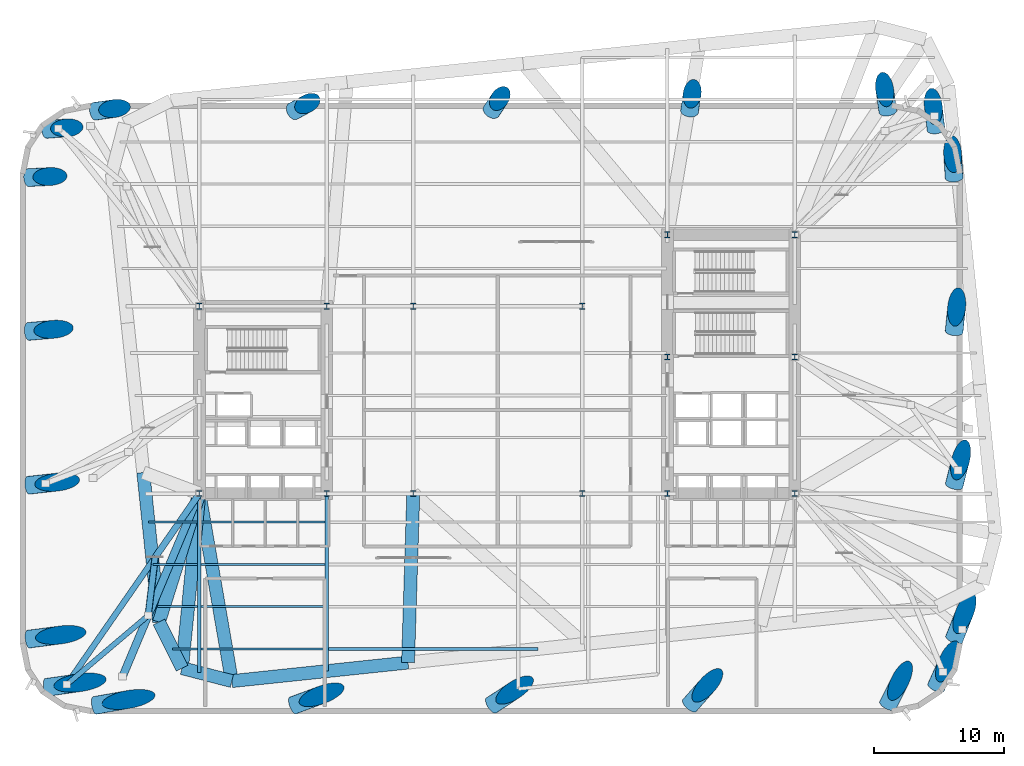
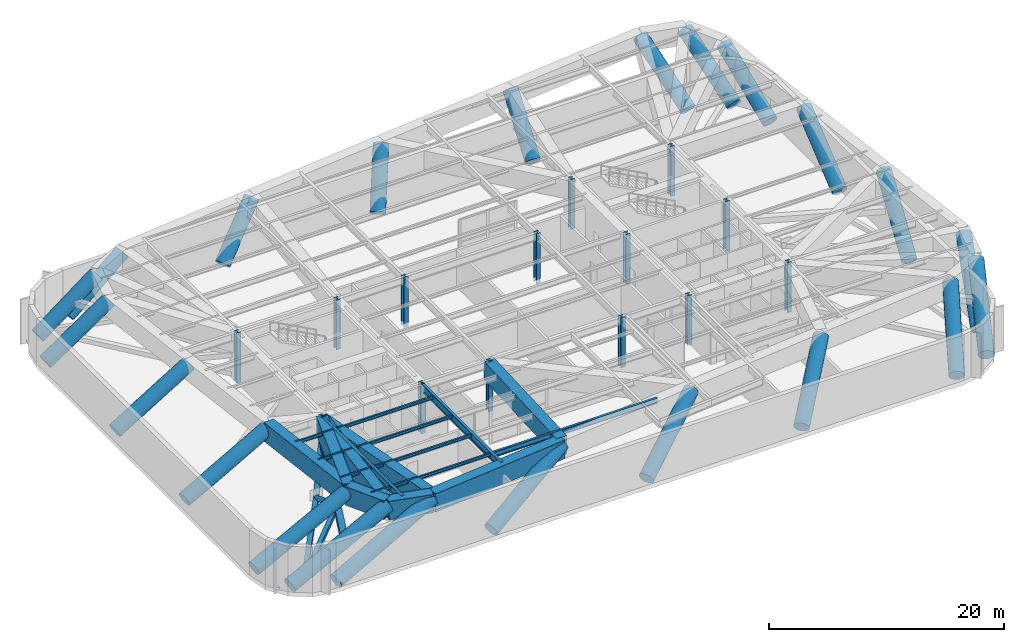
# One storey, part 1 of 16: 36 columns, 19 beams, 5 members.
"""IFC4 building model written with IfcOpenShell, lengths in metres."""

from ifc_helpers import new_model, si_unit, direction, frame, origin, origin_2d, place, context, subcontext, project, spatial, hollow_rectangle, circle, hollow_circle, i_section, extrude, material, material_profile, profile_set, type_object, element, save


model = new_model("IFC4")

# Units and contexts
model_context = context("Model", 3, precision=1e-05, world=origin(), true_north=direction((0.0, 1.0)))
body_context = subcontext(model_context, "Body", "Model", "MODEL_VIEW")
ifc_project = project(units=[si_unit("LENGTHUNIT", "METRE"), si_unit("AREAUNIT", "SQUARE_METRE"), si_unit("VOLUMEUNIT", "CUBIC_METRE"), si_unit("PLANEANGLEUNIT", "RADIAN"), si_unit("MASSUNIT", "GRAM", prefix="KILO")], contexts=[model_context])

# Site, building, storey
site_placement = place(None, origin())
site = spatial("IfcSite", under=ifc_project, at=site_placement, CompositionType="ELEMENT")
building_placement = place(site_placement, origin())
building = spatial("IfcBuilding", under=site, at=building_placement, Name="Kolvaren Arena Tower", CompositionType="ELEMENT")
storey_placement = place(building_placement, frame((0.0, 0.0, 94.5)))
storey = spatial("IfcBuildingStorey", under=building, at=storey_placement, Name="L21", CompositionType="ELEMENT", Elevation=94.5)

# Columns
ifc_material_1 = material(Name="Steel ASTM A913 Grade 65", Category="steel")
ifc_material_profile_1 = material_profile(ifc_material_1, i_section(OverallWidth=0.424072265625, OverallDepth=0.47412109375, WebThickness=0.047607421875, FlangeThickness=0.076904296875, FilletRadius=0.02001953125, at=origin_2d()), Name="W360x634")
ifc_profile_set_1 = profile_set([ifc_material_profile_1], Name="Steel ASTM A913 Grade 65")
column_type_1 = type_object("IfcColumnType", Name="SCOL-Z1", PredefinedType="COLUMN", material=ifc_profile_set_1)
for number, where, z_axis, x_axis, name in (
    (1, (14.550048828125, 19.449951171875, -0.419921875), (0.0, 0.0, 1.0), (1.0, 0.0, 0.0), "Core Boundary Column WC-SW (L21)"),
    (2, (24.35009765625, 19.449951171875, -0.419921875), (0.0, 0.0, 1.0), (1.0, 0.0, 0.0), "Core Boundary Column WC-SE (L21)"),
    (3, (14.550048828125, 33.85009765625, -0.419921875), (0.0, 0.0, 1.0), (1.0, 0.0, 0.0), "Core Boundary Column WC-NW (L21)"),
    (4, (24.35009765625, 33.85009765625, -0.419921875), (0.0, 0.0, 1.0), (1.0, 0.0, 0.0), "Core Boundary Column WC-NE (L21)"),
    (5, (50.550048828125, 19.449951171875, -0.419921875), (0.0, 0.0, 1.0), (1.0, 0.0, 0.0), "Core Boundary Column EC-SW (L21)"),
    (6, (60.35009765625, 19.449951171875, -0.419921875), (0.0, 0.0, 1.0), (1.0, 0.0, 0.0), "Core Boundary Column EC-SE (L21)"),
    (7, (50.550048828125, 29.949951171875, -0.419921875), (0.0, 0.0, 1.0), (1.0, 0.0, 0.0), "Core Boundary Column EC-MW (L21)"),
    (8, (60.35009765625, 29.949951171875, -0.419921875), (0.0, 0.0, 1.0), (1.0, 0.0, 0.0), "Core Boundary Column EC-ME (L21)"),
    (9, (50.550048828125, 39.35009765625, -0.419921875), (0.0, 0.0, 1.0), (1.0, 0.0, 0.0), "Core Boundary Column EC-NW (L21)"),
    (10, (60.35009765625, 39.35009765625, -0.419921875), (0.0, 0.0, 1.0), (1.0, 0.0, 0.0), "Core Boundary Column EC-NE (L21)"),
    (11, (31.0, 19.449951171875, -0.419921875), (0.0, 0.0, 1.0), (1.0, 0.0, 0.0), "Interior Gravity Column TC-SW (L21)"),
    (12, (44.0, 19.449951171875, -0.419921875), (0.0, 0.0, 1.0), (1.0, 0.0, 0.0), "Interior Gravity Column TC-SE (L21)"),
    (13, (31.0, 33.85009765625, -0.419921875), (0.0, 0.0, 1.0), (1.0, 0.0, 0.0), "Interior Gravity Column TC-NW (L21)"),
    (14, (44.0, 33.85009765625, -0.419921875), (0.0, 0.0, 1.0), (1.0, 0.0, 0.0), "Interior Gravity Column TC-NE (L21)"),
):
    element("IfcColumn", number, at=place(storey_placement, frame(where, z_axis=z_axis, x_axis=x_axis)), inside=storey, type_object=column_type_1, Name=name, PredefinedType="COLUMN", context=body_context, shape_type="SweptSolid", body=[
        extrude(i_section(OverallWidth=0.424072265625, OverallDepth=0.47412109375, WebThickness=0.047607421875, FlangeThickness=0.076904296875, FilletRadius=0.02001953125, at=origin_2d()), origin(), (0.0, 0.0, 1.0), 5.169921875),
    ])
ifc_material_2 = material(Name="Concrete 80 MPa", Category="concrete")
ifc_material_profile_2 = material_profile(ifc_material_2, circle(Radius=0.68994140625, at=origin_2d()), Name="RC-CIRC-1380")
ifc_profile_set_2 = profile_set([ifc_material_profile_2], Name="Concrete 80 MPa")
column_type_2 = type_object("IfcColumnType", Name="TRCOL-C900", PredefinedType="COLUMN", material=ifc_profile_set_2)
column_1_placement = place(storey_placement, frame((6.5, 3.14990234375, 0.263427734375), z_axis=(0.927812926347, 0.164938315155, 0.334602041083), x_axis=(-0.175026951819, 0.984563642502, 0.0)))
element("IfcColumn", 15, at=column_1_placement, inside=storey, type_object=column_type_2, Name="Cantilever Block Inclined Transfer Column 01 (L21)", PredefinedType="COLUMN", context=body_context, shape_type="SweptSolid", body=[
    extrude(circle(Radius=0.68994140625, at=origin_2d()), origin(), (0.0, 0.0, 1.0), 11.366455078125),
])
column_2_placement = place(storey_placement, frame((21.75, 3.14990234375, 0.247314453125), z_axis=(0.868074861504, 0.323713294934, 0.376371807535), x_axis=(-0.349405536281, 0.936971595736, 0.0)))
element("IfcColumn", 16, at=column_2_placement, inside=storey, type_object=column_type_2, Name="Cantilever Block Inclined Transfer Column 02 (L21)", PredefinedType="COLUMN", context=body_context, shape_type="SweptSolid", body=[
    extrude(circle(Radius=0.68994140625, at=origin_2d()), origin(), (0.0, 0.0, 1.0), 10.190673828125),
])
column_3_placement = place(storey_placement, frame((37.0, 3.14990234375, 0.232666015625), z_axis=(0.760462048907, 0.502575711343, 0.411236095863), x_axis=(-0.551354685646, 0.834270945566, 0.0)))
element("IfcColumn", 17, at=column_3_placement, inside=storey, type_object=column_type_2, Name="Cantilever Block Inclined Transfer Column 03 (L21)", PredefinedType="COLUMN", context=body_context, shape_type="SweptSolid", body=[
    extrude(circle(Radius=0.68994140625, at=origin_2d()), origin(), (0.0, 0.0, 1.0), 9.39794921875),
])
column_4_placement = place(storey_placement, frame((52.25, 3.14990234375, 0.225830078125), z_axis=(0.599702599661, 0.676792244044, 0.426976639129), x_axis=(-0.748446527269, 0.663195141582, 0.0)))
element("IfcColumn", 18, at=column_4_placement, inside=storey, type_object=column_type_2, Name="Cantilever Block Inclined Transfer Column 04 (L21)", PredefinedType="COLUMN", context=body_context, shape_type="SweptSolid", body=[
    extrude(circle(Radius=0.68994140625, at=origin_2d()), origin(), (0.0, 0.0, 1.0), 9.082763671875),
])
column_5_placement = place(storey_placement, frame((67.5, 3.14990234375, 0.23046875), z_axis=(0.403285196398, 0.814846817115, 0.416396103493), x_axis=(-0.896240407409, 0.443568632939, 0.0)))
element("IfcColumn", 19, at=column_5_placement, inside=storey, type_object=column_type_2, Name="Cantilever Block Inclined Transfer Column 05 (L21)", PredefinedType="COLUMN", context=body_context, shape_type="SweptSolid", body=[
    extrude(circle(Radius=0.68994140625, at=origin_2d()), origin(), (0.0, 0.0, 1.0), 9.2919921875),
])
column_6_placement = place(storey_placement, frame((71.208740234375, 4.541259765625, 0.235595703125), z_axis=(0.375564381675, 0.833793888669, 0.404646940474), x_axis=(-0.911775301983, 0.410689418775, 0.0)))
element("IfcColumn", 20, at=column_6_placement, inside=storey, type_object=column_type_2, Name="Cantilever Block Inclined Transfer Column 06 (L21)", PredefinedType="COLUMN", context=body_context, shape_type="SweptSolid", body=[
    extrude(circle(Radius=0.68994140625, at=origin_2d()), origin(), (0.0, 0.0, 1.0), 9.536376953125),
])
column_7_placement = place(storey_placement, frame((72.60009765625, 8.25, 0.23486328125), z_axis=(0.335336173578, 0.84999279428, 0.406278107166), x_axis=(-0.930225208636, 0.366989184061, 0.0)))
element("IfcColumn", 21, at=column_7_placement, inside=storey, type_object=column_type_2, Name="Cantilever Block Inclined Transfer Column 07 (L21)", PredefinedType="COLUMN", context=body_context, shape_type="SweptSolid", body=[
    extrude(circle(Radius=0.68994140625, at=origin_2d()), origin(), (0.0, 0.0, 1.0), 9.501708984375),
])
column_8_placement = place(storey_placement, frame((72.60009765625, 20.083251953125, 0.221435546875), z_axis=(0.222421384721, 0.871395300308, 0.437263030933), x_axis=(-0.968934371971, 0.247317979155, 0.0)))
element("IfcColumn", 22, at=column_8_placement, inside=storey, type_object=column_type_2, Name="Cantilever Block Inclined Transfer Column 08 (L21)", PredefinedType="COLUMN", context=body_context, shape_type="SweptSolid", body=[
    extrude(circle(Radius=0.68994140625, at=origin_2d()), origin(), (0.0, 0.0, 1.0), 8.889892578125),
])
column_9_placement = place(storey_placement, frame((72.60009765625, 31.916748046875, 0.208984375), z_axis=(0.091248663312, 0.880794612462, 0.46462299997), x_axis=(-0.994676527859, 0.103046615307, 0.0)))
element("IfcColumn", 23, at=column_9_placement, inside=storey, type_object=column_type_2, Name="Cantilever Block Inclined Transfer Column 09 (L21)", PredefinedType="COLUMN", context=body_context, shape_type="SweptSolid", body=[
    extrude(circle(Radius=0.68994140625, at=origin_2d()), origin(), (0.0, 0.0, 1.0), 8.419921875),
])
column_10_placement = place(storey_placement, frame((72.60009765625, 43.75, 0.19970703125), z_axis=(-0.054330888046, 0.873205069998, 0.484315042441), x_axis=(-0.998069933065, -0.062099989634, 0.0)))
element("IfcColumn", 24, at=column_10_placement, inside=storey, type_object=column_type_2, Name="Cantilever Block Inclined Transfer Column 10 (L21)", PredefinedType="COLUMN", context=body_context, shape_type="SweptSolid", body=[
    extrude(circle(Radius=0.68994140625, at=origin_2d()), origin(), (0.0, 0.0, 1.0), 8.115478515625),
])
column_11_placement = place(storey_placement, frame((71.208740234375, 47.458740234375, 0.1962890625), z_axis=(-0.102541572677, 0.86458832858, 0.491906747216), x_axis=(-0.993040167455, -0.117776168306, 0.0)))
element("IfcColumn", 25, at=column_11_placement, inside=storey, type_object=column_type_2, Name="Cantilever Block Inclined Transfer Column 11 (L21)", PredefinedType="COLUMN", context=body_context, shape_type="SweptSolid", body=[
    extrude(circle(Radius=0.68994140625, at=origin_2d()), origin(), (0.0, 0.0, 1.0), 8.004638671875),
])
column_12_placement = place(storey_placement, frame((67.5, 48.85009765625, 0.18505859375), z_axis=(-0.122969735813, 0.848408647084, 0.514860380713), x_axis=(-0.989658618443, -0.143442737498, 0.0)))
element("IfcColumn", 26, at=column_12_placement, inside=storey, type_object=column_type_2, Name="Cantilever Block Inclined Transfer Column 12 (L21)", PredefinedType="COLUMN", context=body_context, shape_type="SweptSolid", body=[
    extrude(circle(Radius=0.68994140625, at=origin_2d()), origin(), (0.0, 0.0, 1.0), 7.69140625),
])
column_13_placement = place(storey_placement, frame((52.25, 48.85009765625, 0.12939453125), z_axis=(0.114713368182, 0.776424073469, 0.619682581084), x_axis=(-0.989261091392, 0.146159136074, 0.0)))
element("IfcColumn", 27, at=column_13_placement, inside=storey, type_object=column_type_2, Name="Cantilever Block Inclined Transfer Column 13 (L21)", PredefinedType="COLUMN", context=body_context, shape_type="SweptSolid", body=[
    extrude(circle(Radius=0.68994140625, at=origin_2d()), origin(), (0.0, 0.0, 1.0), 6.570068359375),
])
column_14_placement = place(storey_placement, frame((37.0, 48.85009765625, 0.09033203125), z_axis=(0.404673564771, 0.606506971739, 0.684389216168), x_axis=(-0.831837805453, 0.555018797357, 0.0)))
element("IfcColumn", 28, at=column_14_placement, inside=storey, type_object=column_type_2, Name="Cantilever Block Inclined Transfer Column 14 (L21)", PredefinedType="COLUMN", context=body_context, shape_type="SweptSolid", body=[
    extrude(circle(Radius=0.68994140625, at=origin_2d()), origin(), (0.0, 0.0, 1.0), 6.0625),
])
column_15_placement = place(storey_placement, frame((21.75, 48.85009765625, 0.107421875), z_axis=(0.662854332783, 0.35954129261, 0.65677560279), x_axis=(-0.476790786653, 0.879016806303, 0.0)))
element("IfcColumn", 29, at=column_15_placement, inside=storey, type_object=column_type_2, Name="Cantilever Block Inclined Transfer Column 15 (L21)", PredefinedType="COLUMN", context=body_context, shape_type="SweptSolid", body=[
    extrude(circle(Radius=0.68994140625, at=origin_2d()), origin(), (0.0, 0.0, 1.0), 6.265380859375),
])
column_16_placement = place(storey_placement, frame((6.5, 48.85009765625, 0.161376953125), z_axis=(0.819539790657, 0.116031956011, 0.561151598692), x_axis=(-0.140183795393, 0.990125498868, 0.0)))
element("IfcColumn", 30, at=column_16_placement, inside=storey, type_object=column_type_2, Name="Cantilever Block Inclined Transfer Column 16 (L21)", PredefinedType="COLUMN", context=body_context, shape_type="SweptSolid", body=[
    extrude(circle(Radius=0.68994140625, at=origin_2d()), origin(), (0.0, 0.0, 1.0), 7.141357421875),
])
column_17_placement = place(storey_placement, frame((2.791259765625, 47.458740234375, 0.166015625), z_axis=(0.831353683028, 0.061952728722, 0.552279741725), x_axis=(-0.074314245371, 0.997234873505, 0.0)))
element("IfcColumn", 31, at=column_17_placement, inside=storey, type_object=column_type_2, Name="Cantilever Block Inclined Transfer Column 17 (L21)", PredefinedType="COLUMN", context=body_context, shape_type="SweptSolid", body=[
    extrude(circle(Radius=0.68994140625, at=origin_2d()), origin(), (0.0, 0.0, 1.0), 7.2392578125),
])
column_18_placement = place(storey_placement, frame((1.39990234375, 43.75, 0.179443359375), z_axis=(0.84945550451, 0.042843003444, 0.525918076238), x_axis=(-0.050371815234, 0.998730534344, 0.0)))
element("IfcColumn", 32, at=column_18_placement, inside=storey, type_object=column_type_2, Name="Cantilever Block Inclined Transfer Column 18 (L21)", PredefinedType="COLUMN", context=body_context, shape_type="SweptSolid", body=[
    extrude(circle(Radius=0.68994140625, at=origin_2d()), origin(), (0.0, 0.0, 1.0), 7.550537109375),
])
column_19_placement = place(storey_placement, frame((1.39990234375, 31.916748046875, 0.213623046875), z_axis=(0.887546460878, 0.076096527424, 0.454390358939), x_axis=(-0.08542467345, 0.996344631724, 0.0)))
element("IfcColumn", 33, at=column_19_placement, inside=storey, type_object=column_type_2, Name="Cantilever Block Inclined Transfer Column 19 (L21)", PredefinedType="COLUMN", context=body_context, shape_type="SweptSolid", body=[
    extrude(circle(Radius=0.68994140625, at=origin_2d()), origin(), (0.0, 0.0, 1.0), 8.588623046875),
])
column_20_placement = place(storey_placement, frame((1.39990234375, 20.083251953125, 0.23828125), z_axis=(0.911823518863, 0.101554580719, 0.39782475738), x_axis=(-0.11069084562, 0.993854887142, 0.0)))
element("IfcColumn", 34, at=column_20_placement, inside=storey, type_object=column_type_2, Name="Cantilever Block Inclined Transfer Column 20 (L21)", PredefinedType="COLUMN", context=body_context, shape_type="SweptSolid", body=[
    extrude(circle(Radius=0.68994140625, at=origin_2d()), origin(), (0.0, 0.0, 1.0), 9.685791015625),
])
column_21_placement = place(storey_placement, frame((1.39990234375, 8.25, 0.256591796875), z_axis=(0.927832784559, 0.121370851511, 0.352697377791), x_axis=(-0.129706097147, 0.991552483917, 0.0)))
element("IfcColumn", 35, at=column_21_placement, inside=storey, type_object=column_type_2, Name="Cantilever Block Inclined Transfer Column 21 (L21)", PredefinedType="COLUMN", context=body_context, shape_type="SweptSolid", body=[
    extrude(circle(Radius=0.68994140625, at=origin_2d()), origin(), (0.0, 0.0, 1.0), 10.822021484375),
])
column_22_placement = place(storey_placement, frame((2.791259765625, 4.541259765625, 0.26123046875), z_axis=(0.931033591973, 0.132160353616, 0.34016186081), x_axis=(-0.140541264776, 0.990074821867, 0.0)))
element("IfcColumn", 36, at=column_22_placement, inside=storey, type_object=column_type_2, Name="Cantilever Block Inclined Transfer Column 22 (L21)", PredefinedType="COLUMN", context=body_context, shape_type="SweptSolid", body=[
    extrude(circle(Radius=0.68994140625, at=origin_2d()), origin(), (0.0, 0.0, 1.0), 11.19287109375),
])

# Beam
ifc_material_3 = material(Name="Steel CSA G40.21 350W", Category="steel")
ifc_material_profile_3 = material_profile(ifc_material_3, i_section(OverallWidth=0.2119140625, OverallDepth=0.54296875, WebThickness=0.01318359375, FlangeThickness=0.0244140625, FilletRadius=0.013916015625, at=origin_2d()), Name="W530x150")
ifc_profile_set_3 = profile_set([ifc_material_profile_3], Name="Steel CSA G40.21 350W")
beam_type_1 = type_object("IfcBeamType", Name="BEAM-F1", PredefinedType="BEAM", material=ifc_profile_set_3)
beam_1_placement = place(storey_placement, frame((24.485107421875, 7.5, 4.478515625), z_axis=(1.0, 0.0, 0.0), x_axis=(0.0, 1.0, 0.0)))
element("IfcBeam", 37, at=beam_1_placement, inside=storey, type_object=beam_type_1, Name="Composite Floor Beam (L21)", PredefinedType="BEAM", context=body_context, shape_type="SweptSolid", body=[
    extrude(i_section(OverallWidth=0.2119140625, OverallDepth=0.54296875, WebThickness=0.01318359375, FlangeThickness=0.0244140625, FilletRadius=0.013916015625, at=origin_2d()), origin(), (0.0, 0.0, 1.0), 16.11279296875),
])

# Members
ifc_material_4 = material(Name="Steel CSA G40.21 350WT", Category="steel")
ifc_material_profile_4 = material_profile(ifc_material_4, hollow_rectangle(XDim=0.449951171875, YDim=0.449951171875, WallThickness=0.02001953125, at=origin_2d()), Name="HSS 450x450x20")
ifc_profile_set_4 = profile_set([ifc_material_profile_4], Name="Steel CSA G40.21 350WT")
member_type_1 = type_object("IfcMemberType", Name="BELT-CHORD", PredefinedType="CHORD", material=ifc_profile_set_4)
member_1_placement = place(storey_placement, frame((14.550048828125, 19.449951171875, 0.35009765625), z_axis=(-0.570639298889, -0.821200822311, 0.0), x_axis=(0.821200822311, -0.570639298889, 0.0)))
element("IfcMember", 38, at=member_1_placement, inside=storey, type_object=member_type_1, Name="Belt Truss Bottom Chord 1 (L21)", PredefinedType="CHORD", context=body_context, shape_type="SweptSolid", body=[
    extrude(hollow_rectangle(XDim=0.449951171875, YDim=0.449951171875, WallThickness=0.02001953125, at=origin_2d()), origin(), (0.0, 0.0, 1.0), 17.886474609375),
])
ifc_material_profile_5 = material_profile(ifc_material_4, hollow_rectangle(XDim=0.39990234375, YDim=0.39990234375, WallThickness=0.01611328125, at=origin_2d()), Name="HSS 400x400x16")
ifc_profile_set_5 = profile_set([ifc_material_profile_5], Name="Steel CSA G40.21 350WT")
member_type_2 = type_object("IfcMemberType", Name="BELT-DIAG", PredefinedType="BRACE", material=ifc_profile_set_5)
member_2_placement = place(storey_placement, frame((10.607666015625, 10.06396484375, 2.47998046875), z_axis=(-0.73880313435, -0.625358169646, -0.251191338091), x_axis=(0.646072913209, -0.763275697777, 0.0)))
element("IfcMember", 39, at=member_2_placement, inside=storey, type_object=member_type_2, Name="Belt Truss Warren Diagonal C 1 (L21)", PredefinedType="BRACE", context=body_context, shape_type="SweptSolid", body=[
    extrude(hollow_rectangle(XDim=0.39990234375, YDim=0.39990234375, WallThickness=0.01611328125, at=origin_2d()), origin(), (0.0, 0.0, 1.0), 8.47900390625),
])
ifc_material_profile_6 = material_profile(ifc_material_4, hollow_circle(Radius=0.25390625, WallThickness=0.02490234375, at=origin_2d()), Name="CHS 508x25")
ifc_profile_set_6 = profile_set([ifc_material_profile_6], Name="Steel CSA G40.21 350WT")
member_type_3 = type_object("IfcMemberType", Name="EXO-BRACE1", PredefinedType="BRACE", material=ifc_profile_set_6)
member_3_placement = place(storey_placement, frame((11.147705078125, 14.5537109375, 0.35009765625), z_axis=(-0.108038363651, -0.898203213171, 0.42609705447), x_axis=(0.992843589489, -0.119421969546, 0.0)))
element("IfcMember", 40, at=member_3_placement, inside=storey, type_object=member_type_3, Name="Outrigger Warren Diagonal B 1 (L21)", PredefinedType="BRACE", context=body_context, shape_type="SweptSolid", body=[
    extrude(hollow_circle(Radius=0.25390625, WallThickness=0.02490234375, at=origin_2d()), origin(), (0.0, 0.0, 1.0), 4.99853515625),
])

# Beams
ifc_material_profile_7 = material_profile(ifc_material_3, i_section(OverallWidth=0.27001953125, OverallDepth=0.77294921875, WebThickness=0.019287109375, FlangeThickness=0.033447265625, FilletRadius=0.01806640625, at=origin_2d()), Name="W760x257")
ifc_profile_set_7 = profile_set([ifc_material_profile_7], Name="Steel CSA G40.21 350W")
beam_type_2 = type_object("IfcBeamType", Name="GIRD-T1", PredefinedType="BEAM", material=ifc_profile_set_7)
beam_2_placement = place(storey_placement, frame((14.550048828125, 5.673095703125, 4.363525390625), z_axis=(0.0, 1.0, 0.0), x_axis=(-1.0, 0.0, 0.0)))
element("IfcBeam", 41, at=beam_2_placement, inside=storey, type_object=beam_type_2, Name="Primary Floor Girder (L21)", PredefinedType="BEAM", context=body_context, shape_type="SweptSolid", body=[
    extrude(i_section(OverallWidth=0.27001953125, OverallDepth=0.77294921875, WebThickness=0.019287109375, FlangeThickness=0.033447265625, FilletRadius=0.01806640625, at=origin_2d()), origin(), (0.0, 0.0, 1.0), 13.77685546875),
])
beam_3_placement = place(storey_placement, frame((24.35009765625, 5.792236328125, 4.363525390625), z_axis=(0.0, 1.0, 0.0), x_axis=(-1.0, 0.0, 0.0)))
element("IfcBeam", 42, at=beam_3_placement, inside=storey, type_object=beam_type_2, Name="Primary Floor Girder (L21)", PredefinedType="BEAM", context=body_context, shape_type="SweptSolid", body=[
    extrude(i_section(OverallWidth=0.27001953125, OverallDepth=0.77294921875, WebThickness=0.019287109375, FlangeThickness=0.033447265625, FilletRadius=0.01806640625, at=origin_2d()), origin(), (0.0, 0.0, 1.0), 13.65771484375),
])
ifc_material_profile_8 = material_profile(ifc_material_3, i_section(OverallWidth=0.1669921875, OverallDepth=0.31689453125, WebThickness=0.007568359375, FlangeThickness=0.01318359375, FilletRadius=0.010009765625, at=origin_2d()), Name="W310x52")
ifc_profile_set_8 = profile_set([ifc_material_profile_8], Name="Steel CSA G40.21 350W")
beam_type_3 = type_object("IfcBeamType", Name="JOIST-02", PredefinedType="JOIST", material=ifc_profile_set_8)
beam_4_placement = place(storey_placement, frame((12.472412109375, 7.5, 4.591552734375), z_axis=(1.0, 0.0, 0.0), x_axis=(0.0, 1.0, 0.0)))
element("IfcBeam", 43, at=beam_4_placement, inside=storey, type_object=beam_type_3, Name="Composite Floor Joist (L21)", PredefinedType="JOIST", context=body_context, shape_type="SweptSolid", body=[
    extrude(i_section(OverallWidth=0.1669921875, OverallDepth=0.31689453125, WebThickness=0.007568359375, FlangeThickness=0.01318359375, FilletRadius=0.010009765625, at=origin_2d()), origin(), (0.0, 0.0, 1.0), 1.942626953125),
])
beam_5_placement = place(storey_placement, frame((14.68505859375, 7.5, 4.591552734375), z_axis=(1.0, 0.0, 0.0), x_axis=(0.0, 1.0, 0.0)))
element("IfcBeam", 44, at=beam_5_placement, inside=storey, type_object=beam_type_3, Name="Composite Floor Joist (L21)", PredefinedType="JOIST", context=body_context, shape_type="SweptSolid", body=[
    extrude(i_section(OverallWidth=0.1669921875, OverallDepth=0.31689453125, WebThickness=0.007568359375, FlangeThickness=0.01318359375, FilletRadius=0.010009765625, at=origin_2d()), origin(), (0.0, 0.0, 1.0), 9.530029296875),
])
beam_6_placement = place(storey_placement, frame((11.316162109375, 10.75, 4.591552734375), z_axis=(1.0, 0.0, 0.0), x_axis=(0.0, 1.0, 0.0)))
element("IfcBeam", 45, at=beam_6_placement, inside=storey, type_object=beam_type_3, Name="Composite Floor Joist (L21)", PredefinedType="JOIST", context=body_context, shape_type="SweptSolid", body=[
    extrude(i_section(OverallWidth=0.1669921875, OverallDepth=0.31689453125, WebThickness=0.007568359375, FlangeThickness=0.01318359375, FilletRadius=0.010009765625, at=origin_2d()), origin(), (0.0, 0.0, 1.0), 3.098876953125),
])
beam_7_placement = place(storey_placement, frame((14.68505859375, 10.75, 4.591552734375), z_axis=(1.0, 0.0, 0.0), x_axis=(0.0, 1.0, 0.0)))
element("IfcBeam", 46, at=beam_7_placement, inside=storey, type_object=beam_type_3, Name="Composite Floor Joist (L21)", PredefinedType="JOIST", context=body_context, shape_type="SweptSolid", body=[
    extrude(i_section(OverallWidth=0.1669921875, OverallDepth=0.31689453125, WebThickness=0.007568359375, FlangeThickness=0.01318359375, FilletRadius=0.010009765625, at=origin_2d()), origin(), (0.0, 0.0, 1.0), 9.530029296875),
])
beam_8_placement = place(storey_placement, frame((10.974609375, 14.0, 4.591552734375), z_axis=(1.0, 0.0, 0.0), x_axis=(0.0, 1.0, 0.0)))
element("IfcBeam", 47, at=beam_8_placement, inside=storey, type_object=beam_type_3, Name="Composite Floor Joist (L21)", PredefinedType="JOIST", context=body_context, shape_type="SweptSolid", body=[
    extrude(i_section(OverallWidth=0.1669921875, OverallDepth=0.31689453125, WebThickness=0.007568359375, FlangeThickness=0.01318359375, FilletRadius=0.010009765625, at=origin_2d()), origin(), (0.0, 0.0, 1.0), 3.4404296875),
])
beam_9_placement = place(storey_placement, frame((14.68505859375, 14.0, 4.591552734375), z_axis=(1.0, 0.0, 0.0), x_axis=(0.0, 1.0, 0.0)))
element("IfcBeam", 48, at=beam_9_placement, inside=storey, type_object=beam_type_3, Name="Composite Floor Joist (L21)", PredefinedType="JOIST", context=body_context, shape_type="SweptSolid", body=[
    extrude(i_section(OverallWidth=0.1669921875, OverallDepth=0.31689453125, WebThickness=0.007568359375, FlangeThickness=0.01318359375, FilletRadius=0.010009765625, at=origin_2d()), origin(), (0.0, 0.0, 1.0), 9.530029296875),
])
beam_10_placement = place(storey_placement, frame((10.6328125, 17.25, 4.591552734375), z_axis=(1.0, 0.0, 0.0), x_axis=(0.0, 1.0, 0.0)))
element("IfcBeam", 49, at=beam_10_placement, inside=storey, type_object=beam_type_3, Name="Composite Floor Joist (L21)", PredefinedType="JOIST", context=body_context, shape_type="SweptSolid", body=[
    extrude(i_section(OverallWidth=0.1669921875, OverallDepth=0.31689453125, WebThickness=0.007568359375, FlangeThickness=0.01318359375, FilletRadius=0.010009765625, at=origin_2d()), origin(), (0.0, 0.0, 1.0), 3.7822265625),
])
beam_11_placement = place(storey_placement, frame((14.68505859375, 17.25, 4.591552734375), z_axis=(1.0, 0.0, 0.0), x_axis=(0.0, 1.0, 0.0)))
element("IfcBeam", 50, at=beam_11_placement, inside=storey, type_object=beam_type_3, Name="Composite Floor Joist (L21)", PredefinedType="JOIST", context=body_context, shape_type="SweptSolid", body=[
    extrude(i_section(OverallWidth=0.1669921875, OverallDepth=0.31689453125, WebThickness=0.007568359375, FlangeThickness=0.01318359375, FilletRadius=0.010009765625, at=origin_2d()), origin(), (0.0, 0.0, 1.0), 9.530029296875),
])

# Members
ifc_material_profile_9 = material_profile(ifc_material_4, hollow_rectangle(XDim=0.60009765625, YDim=0.60009765625, WallThickness=0.02490234375, at=origin_2d()), Name="HSS 600x600x25")
ifc_profile_set_9 = profile_set([ifc_material_profile_9], Name="Steel CSA G40.21 350WT")
member_type_4 = type_object("IfcMemberType", Name="OUT-CHORD", PredefinedType="CHORD", material=ifc_profile_set_9)
member_4_placement = place(storey_placement, frame((14.550048828125, 19.449951171875, 2.47998046875), z_axis=(-0.387244172218, -0.921977196618, 0.0), x_axis=(0.921977196618, -0.387244172218, 0.0)))
element("IfcMember", 51, at=member_4_placement, inside=storey, type_object=member_type_4, Name="Outrigger Top Chord 1 (L21)", PredefinedType="CHORD", context=body_context, shape_type="SweptSolid", body=[
    extrude(hollow_rectangle(XDim=0.60009765625, YDim=0.60009765625, WallThickness=0.02490234375, at=origin_2d()), origin(), (0.0, 0.0, 1.0), 15.270263671875),
])
ifc_material_profile_10 = material_profile(ifc_material_4, hollow_rectangle(XDim=0.5, YDim=0.5, WallThickness=0.02197265625, at=origin_2d()), Name="HSS 500x500x22")
ifc_profile_set_10 = profile_set([ifc_material_profile_10], Name="Steel CSA G40.21 350WT")
member_type_5 = type_object("IfcMemberType", Name="OUT-DIAG", PredefinedType="BRACE", material=ifc_profile_set_10)
member_5_placement = place(storey_placement, frame((14.550048828125, 19.449951171875, 2.47998046875), z_axis=(-0.537383677413, -0.773337374462, -0.336404649953), x_axis=(0.821198870752, -0.570642107345, 0.0)))
element("IfcMember", 52, at=member_5_placement, inside=storey, type_object=member_type_5, Name="Outrigger Warren Diagonal A 1 (L21)", PredefinedType="BRACE", context=body_context, shape_type="SweptSolid", body=[
    extrude(hollow_rectangle(XDim=0.5, YDim=0.5, WallThickness=0.02197265625, at=origin_2d()), origin(), (0.0, 0.0, 1.0), 6.331298828125),
])

# Beams
ifc_material_profile_11 = material_profile(ifc_material_4, hollow_rectangle(XDim=1.0, YDim=1.919921875, WallThickness=0.044921875, at=origin_2d()), Name="BOX 1000x1920x45")
ifc_profile_set_11 = profile_set([ifc_material_profile_11], Name="Steel CSA G40.21 350WT")
beam_type_4 = type_object("IfcBeamType", Name="TG-MEGA", PredefinedType="USERDEFINED", material=ifc_profile_set_11)
beam_12_placement = place(storey_placement, frame((17.0458984375, 5.024658203125, 3.7900390625), z_axis=(0.994522817887, 0.104519685718, 0.0), x_axis=(-0.104519685718, 0.994522817887, 0.0)))
element("IfcBeam", 53, at=beam_12_placement, inside=storey, type_object=beam_type_4, Name="Perimeter Transfer Ring Girder 01 (L21)", ObjectType="TRANSFER GIRDER", PredefinedType="USERDEFINED", context=body_context, shape_type="SweptSolid", body=[
    extrude(hollow_rectangle(XDim=1.0, YDim=1.919921875, WallThickness=0.044921875, at=origin_2d()), origin(), (0.0, 0.0, 1.0), 13.625),
])
beam_13_placement = place(storey_placement, frame((17.0458984375, 5.024658203125, 3.7900390625), z_axis=(-0.170486008075, 0.985360097148, 0.0), x_axis=(-0.985360097148, -0.170486008075, 0.0)))
element("IfcBeam", 54, at=beam_13_placement, inside=storey, type_object=beam_type_4, Name="Cantilever Block Transfer Girder 01 (L21)", ObjectType="TRANSFER GIRDER", PredefinedType="USERDEFINED", context=body_context, shape_type="SweptSolid", body=[
    extrude(hollow_rectangle(XDim=1.0, YDim=1.919921875, WallThickness=0.044921875, at=origin_2d()), origin(), (0.0, 0.0, 1.0), 14.6396484375),
])
beam_14_placement = place(storey_placement, frame((30.59619140625, 6.44873046875, 3.7900390625), z_axis=(0.031044312755, 0.999518009165, 0.0), x_axis=(-0.999518009165, 0.031044312755, 0.0)))
element("IfcBeam", 55, at=beam_14_placement, inside=storey, type_object=beam_type_4, Name="Cantilever Block Transfer Girder 02 (L21)", ObjectType="TRANSFER GIRDER", PredefinedType="USERDEFINED", context=body_context, shape_type="SweptSolid", body=[
    extrude(hollow_rectangle(XDim=1.0, YDim=1.919921875, WallThickness=0.044921875, at=origin_2d()), origin(), (0.0, 0.0, 1.0), 13.007568359375),
])
beam_15_placement = place(storey_placement, frame((10.231689453125, 21.06689453125, 3.7900390625), z_axis=(0.104543048399, -0.994520362301, 0.0), x_axis=(0.994520362301, 0.104543048399, 0.0)))
element("IfcBeam", 56, at=beam_15_placement, inside=storey, type_object=beam_type_4, Name="Perimeter Transfer Ring Girder 20 (L21)", ObjectType="TRANSFER GIRDER", PredefinedType="USERDEFINED", context=body_context, shape_type="SweptSolid", body=[
    extrude(hollow_rectangle(XDim=1.0, YDim=1.919921875, WallThickness=0.044921875, at=origin_2d()), origin(), (0.0, 0.0, 1.0), 11.56689453125),
])
beam_16_placement = place(storey_placement, frame((11.44091796875, 9.5634765625, 3.7900390625), z_axis=(0.44716428656, -0.894451843771, 0.0), x_axis=(0.894451843771, 0.44716428656, 0.0)))
element("IfcBeam", 57, at=beam_16_placement, inside=storey, type_object=beam_type_4, Name="Perimeter Transfer Ring Girder 21 (L21)", ObjectType="TRANSFER GIRDER", PredefinedType="USERDEFINED", context=body_context, shape_type="SweptSolid", body=[
    extrude(hollow_rectangle(XDim=1.0, YDim=1.919921875, WallThickness=0.044921875, at=origin_2d()), origin(), (0.0, 0.0, 1.0), 3.9609375),
])
beam_17_placement = place(storey_placement, frame((11.44091796875, 9.5634765625, 3.7900390625), z_axis=(0.299998106291, 0.953939796959, 0.0), x_axis=(-0.953939796959, 0.299998106291, 0.0)))
element("IfcBeam", 58, at=beam_17_placement, inside=storey, type_object=beam_type_4, Name="Cantilever Block Transfer Girder 21 (L21)", ObjectType="TRANSFER GIRDER", PredefinedType="USERDEFINED", context=body_context, shape_type="SweptSolid", body=[
    extrude(hollow_rectangle(XDim=1.0, YDim=1.919921875, WallThickness=0.044921875, at=origin_2d()), origin(), (0.0, 0.0, 1.0), 10.36376953125),
])
beam_18_placement = place(storey_placement, frame((13.212158203125, 6.0205078125, 3.7900390625), z_axis=(0.96787922294, -0.25141561169, 0.0), x_axis=(0.25141561169, 0.96787922294, 0.0)))
element("IfcBeam", 59, at=beam_18_placement, inside=storey, type_object=beam_type_4, Name="Perimeter Transfer Ring Girder 22 (L21)", ObjectType="TRANSFER GIRDER", PredefinedType="USERDEFINED", context=body_context, shape_type="SweptSolid", body=[
    extrude(hollow_rectangle(XDim=1.0, YDim=1.919921875, WallThickness=0.044921875, at=origin_2d()), origin(), (0.0, 0.0, 1.0), 3.9609375),
])
beam_19_placement = place(storey_placement, frame((13.212158203125, 6.0205078125, 3.7900390625), z_axis=(0.099132957575, 0.995074196592, 0.0), x_axis=(-0.995074196592, 0.099132957575, 0.0)))
element("IfcBeam", 60, at=beam_19_placement, inside=storey, type_object=beam_type_4, Name="Cantilever Block Transfer Girder 22 (L21)", ObjectType="TRANSFER GIRDER", PredefinedType="USERDEFINED", context=body_context, shape_type="SweptSolid", body=[
    extrude(hollow_rectangle(XDim=1.0, YDim=1.919921875, WallThickness=0.044921875, at=origin_2d()), origin(), (0.0, 0.0, 1.0), 13.495849609375),
])

save(model, "model.ifc")
